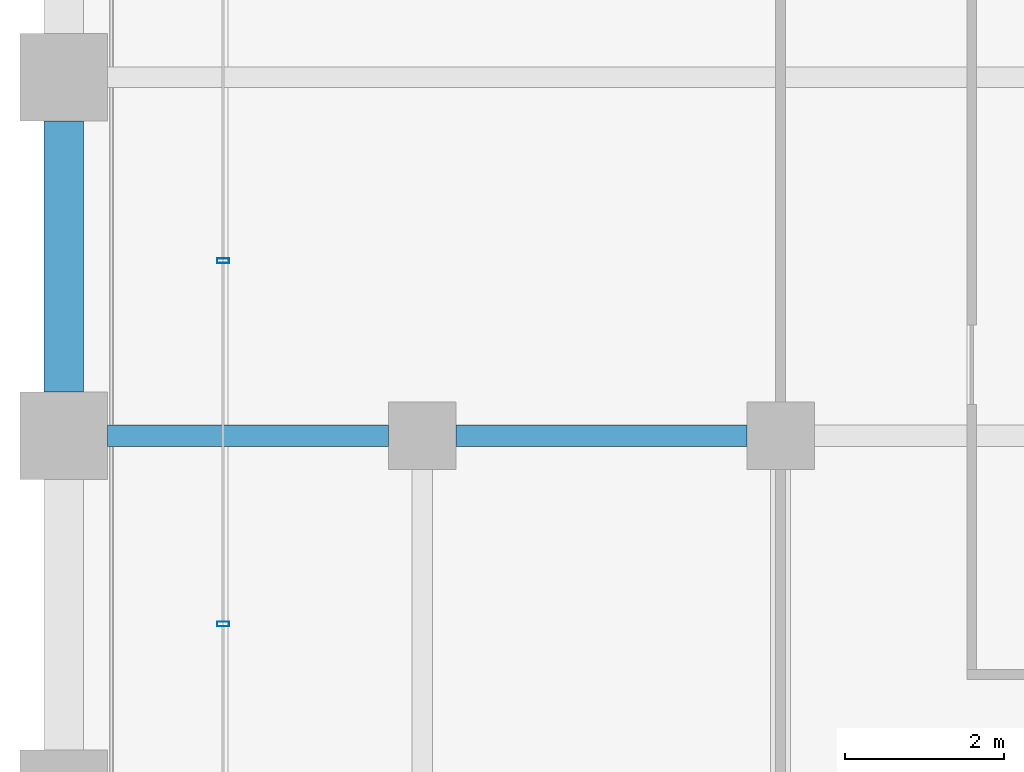
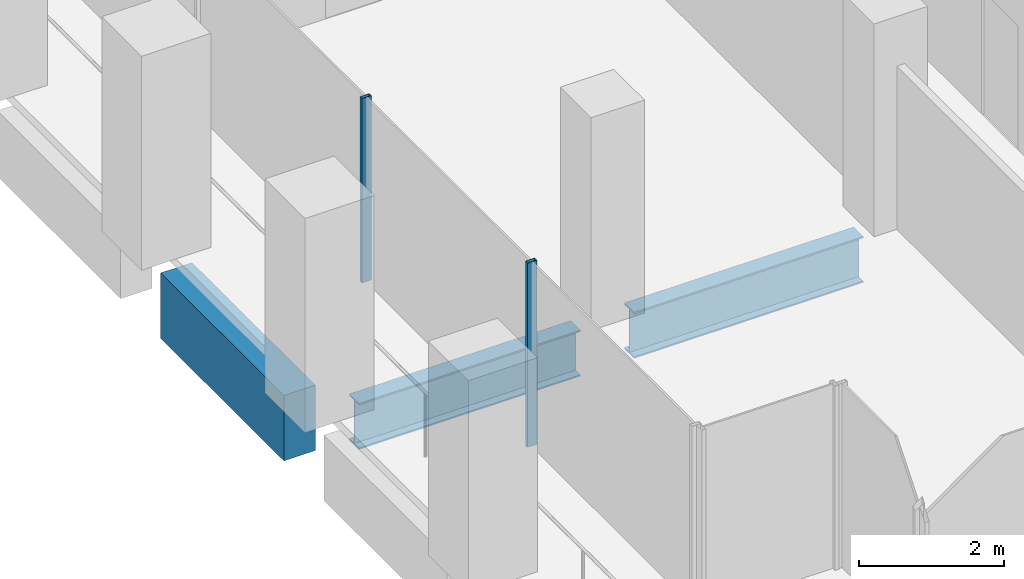
# One storey, part 5 of 54: 3 beams, 2 members, 1 element without a shape of its own.
"""IFC4 building model written with IfcOpenShell, lengths in metres."""

from ifc_helpers import new_model, si_unit, direction, frame, origin, origin_2d, place, context, subcontext, project, spatial, rectangle, hollow_rectangle, i_section, extrude, material, material_profile, profile_set, type_object, element, aggregate, save


model = new_model("IFC4")

# Units and contexts
model_context = context("Model", 3, precision=1e-05, world=origin(), true_north=direction((0.0, 1.0)))
body_context = subcontext(model_context, "Body", "Model", "MODEL_VIEW")
ifc_project = project(units=[si_unit("LENGTHUNIT", "METRE"), si_unit("AREAUNIT", "SQUARE_METRE"), si_unit("VOLUMEUNIT", "CUBIC_METRE"), si_unit("PLANEANGLEUNIT", "RADIAN"), si_unit("MASSUNIT", "GRAM", prefix="KILO")], contexts=[model_context])

# Site, building, storey
site_placement = place(None, origin())
site = spatial("IfcSite", under=ifc_project, at=site_placement, CompositionType="ELEMENT")
building_placement = place(site_placement, origin())
building = spatial("IfcBuilding", under=site, at=building_placement, Name="Altepetl Exchange Towers", CompositionType="ELEMENT")
storey_placement = place(building_placement, frame((0.0, 0.0, 58.199951171875)))
storey = spatial("IfcBuildingStorey", under=building, at=storey_placement, Name="L13", CompositionType="ELEMENT", Elevation=58.199951171875)

# Beams
ifc_material_1 = material(Name="Steel S355", Category="steel")
ifc_material_profile_1 = material_profile(ifc_material_1, i_section(OverallWidth=0.26806640625, OverallDepth=0.77392578125, WebThickness=0.015380859375, FlangeThickness=0.025390625, at=origin_2d()), Name="W30X132")
ifc_profile_set_1 = profile_set([ifc_material_profile_1], Name="Steel S355")
beam_type_1 = type_object("IfcBeamType", Name="Girder W30X132", PredefinedType="BEAM", material=ifc_profile_set_1)
beam_1_placement = place(storey_placement, frame((35.574951171875, 40.5, -0.536865234375), z_axis=(-1.0, 0.0, 0.0), x_axis=(0.0, -1.0, 0.0)))
element("IfcBeam", 1, at=beam_1_placement, inside=storey, type_object=beam_type_1, Name="gd:A:L13:010", PredefinedType="BEAM", context=body_context, shape_type="SweptSolid", body=[
    extrude(i_section(OverallWidth=0.26806640625, OverallDepth=0.77392578125, WebThickness=0.015380859375, FlangeThickness=0.025390625, at=origin_2d()), origin(), (0.0, 0.0, 1.0), 3.64990234375),
])
beam_2_placement = place(storey_placement, frame((31.074951171875, 40.5, -0.536865234375), z_axis=(-1.0, 0.0, 0.0), x_axis=(0.0, -1.0, 0.0)))
element("IfcBeam", 2, at=beam_2_placement, inside=storey, type_object=beam_type_1, Name="gd:A:L13:011", PredefinedType="BEAM", context=body_context, shape_type="SweptSolid", body=[
    extrude(i_section(OverallWidth=0.26806640625, OverallDepth=0.77392578125, WebThickness=0.015380859375, FlangeThickness=0.025390625, at=origin_2d()), origin(), (0.0, 0.0, 1.0), 3.52490234375),
])

# Curtain wall, members
ifc_material_2 = material(Name="Aluminium 6063-T6 glazing", Category="aluminium")
curtain_wall_type = type_object("IfcCurtainWallType", Name="Loggia glazing system", PredefinedType="NOTDEFINED", material=ifc_material_2)
curtain_wall_placement = place(storey_placement, origin())
curtain_wall = element("IfcCurtainWall", 3, at=curtain_wall_placement, inside=storey, type_object=curtain_wall_type, Name="CW1 run", PredefinedType="NOTDEFINED")
ifc_material_3 = material(Name="Aluminium 6063-T6", Category="aluminium")
ifc_material_profile_2 = material_profile(ifc_material_3, hollow_rectangle(XDim=0.06005859375, YDim=0.14990234375, WallThickness=0.0029296875, at=origin_2d()), Name="Mullion 60x150 aluminium")
ifc_profile_set_2 = profile_set([ifc_material_profile_2], Name="Aluminium 6063-T6")
member_type = type_object("IfcMemberType", Name="Mullion 60x150 aluminium", PredefinedType="MULLION", material=ifc_profile_set_2)
member_1_placement = place(storey_placement, frame((29.0, 42.696533203125, 0.0), z_axis=(0.0, 0.0, 1.0), x_axis=(0.0, -1.0, 0.0)))
member_1 = element("IfcMember", 4, at=member_1_placement, type_object=member_type, Name="MU1 mullion", PredefinedType="MULLION", context=body_context, shape_type="SweptSolid", body=[
    extrude(hollow_rectangle(XDim=0.06005859375, YDim=0.14990234375, WallThickness=0.0029296875, at=origin_2d()), origin(), (0.0, 0.0, 1.0), 3.10009765625),
])
member_2_placement = place(storey_placement, frame((29.0, 38.1357421875, 0.0), z_axis=(0.0, 0.0, 1.0), x_axis=(0.0, -1.0, 0.0)))
member_2 = element("IfcMember", 5, at=member_2_placement, type_object=member_type, Name="MU1 mullion", PredefinedType="MULLION", context=body_context, shape_type="SweptSolid", body=[
    extrude(hollow_rectangle(XDim=0.06005859375, YDim=0.14990234375, WallThickness=0.0029296875, at=origin_2d()), origin(), (0.0, 0.0, 1.0), 3.10009765625),
])
aggregate(curtain_wall, [member_1, member_2])

# Beam
ifc_material_4 = material(Name="Concrete C50/60 precast with tezontle facing", Category="concrete")
ifc_material_profile_3 = material_profile(ifc_material_4, rectangle(XDim=0.5, YDim=1.10009765625, at=origin_2d()), Name="500 x 1100")
ifc_profile_set_3 = profile_set([ifc_material_profile_3], Name="Concrete C50/60 precast with tezontle facing")
beam_type_2 = type_object("IfcBeamType", Name="Spandrel beam 500x1100 tezontle", PredefinedType="SPANDREL", material=ifc_profile_set_3)
beam_3_placement = place(storey_placement, frame((27.0, 44.449951171875, -0.699951171875), z_axis=(0.0, -1.0, 0.0), x_axis=(1.0, 0.0, 0.0)))
element("IfcBeam", 6, at=beam_3_placement, inside=storey, type_object=beam_type_2, Name="sp:A:L13:041", PredefinedType="SPANDREL", context=body_context, shape_type="SweptSolid", body=[
    extrude(rectangle(XDim=0.5, YDim=1.10009765625, at=origin_2d()), origin(), (0.0, 0.0, 1.0), 3.39990234375),
])

save(model, "model.ifc")
